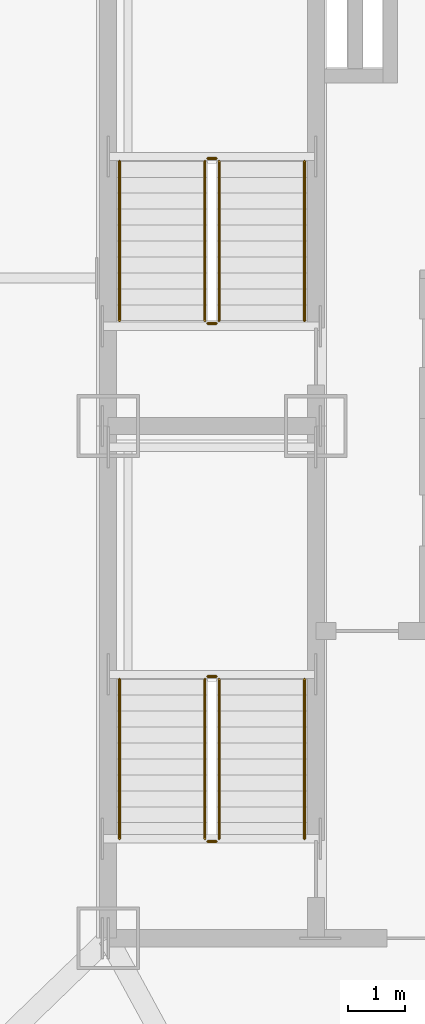
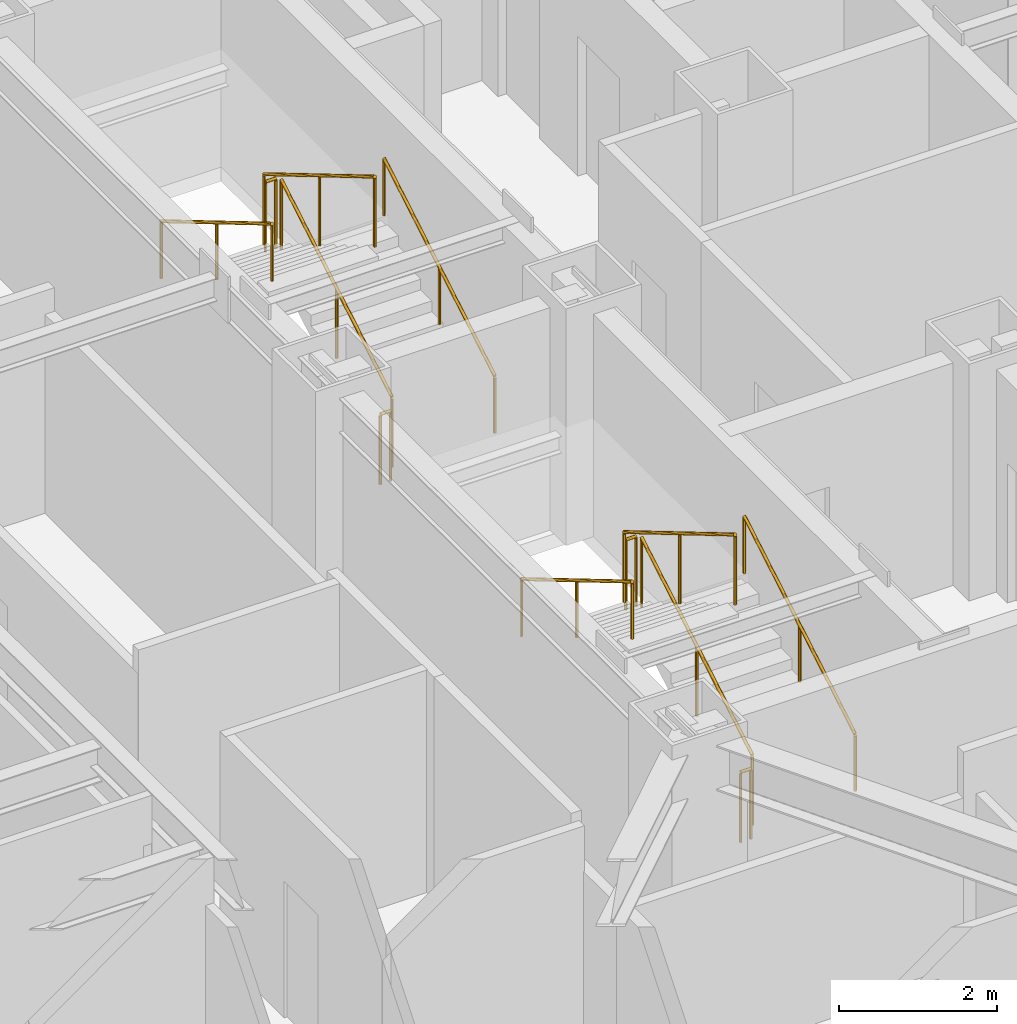
# One storey, part 12 of 12: 12 railings.
"""IFC4 building model written with IfcOpenShell, lengths in metres."""

from ifc_helpers import new_model, si_unit, direction, frame, origin, origin_2d, place, context, subcontext, project, spatial, circle, extrude, material, type_object, element, save


model = new_model("IFC4")

# Units and contexts
model_context = context("Model", 3, precision=1e-05, world=origin(), true_north=direction((0.0, 1.0)))
body_context = subcontext(model_context, "Body", "Model", "MODEL_VIEW")
ifc_project = project(units=[si_unit("LENGTHUNIT", "METRE"), si_unit("AREAUNIT", "SQUARE_METRE"), si_unit("VOLUMEUNIT", "CUBIC_METRE"), si_unit("PLANEANGLEUNIT", "RADIAN"), si_unit("MASSUNIT", "GRAM", prefix="KILO")], contexts=[model_context])

# Site, building, storey
site_placement = place(None, origin())
site = spatial("IfcSite", under=ifc_project, at=site_placement, CompositionType="ELEMENT")
building_placement = place(site_placement, origin())
building = spatial("IfcBuilding", under=site, at=building_placement, Name="Khamvora Tower", CompositionType="ELEMENT")
storey_placement = place(building_placement, frame((0.0, 0.0, 199.699951171875)))
storey = spatial("IfcBuildingStorey", under=building, at=storey_placement, Name="L51", CompositionType="ELEMENT", Elevation=199.699951171875)

# Railings
ifc_material_1 = material(Name="Brushed Stainless Steel 316", Category="steel")
railing_type_1 = type_object("IfcRailingType", Name="RAL-HDR-920", PredefinedType="HANDRAIL", material=ifc_material_1)
railing_1_placement = place(storey_placement, frame((32.449951171875, 20.75, 0.166015625)))
element("IfcRailing", 1, at=railing_1_placement, inside=storey, type_object=railing_type_1, Name="L51 ST-01 stair handrail 1", PredefinedType="HANDRAIL", context=body_context, shape_type="SweptSolid", body=[
    extrude(circle(Radius=0.02392578125, at=origin_2d()), frame((0.0, 0.0, 0.8759765625), z_axis=(0.0, 0.860339051648, 0.50972219513), x_axis=(-1.0, 0.0, 0.0)), (0.0, 0.0, 1.0), 3.254638671875),
    extrude(circle(Radius=0.02099609375, at=origin_2d()), origin(), (0.0, 0.0, 1.0), 0.851806640625),
    extrude(circle(Radius=0.02099609375, at=origin_2d()), frame((0.0, 1.39990234375, 0.82958984375)), (0.0, 0.0, 1.0), 0.851806640625),
    extrude(circle(Radius=0.02099609375, at=origin_2d()), frame((0.0, 2.800048828125, 1.658935546875)), (0.0, 0.0, 1.0), 0.851806640625),
])
railing_2_placement = place(storey_placement, frame((29.199951171875, 23.550048828125, 1.990966796875)))
element("IfcRailing", 2, at=railing_2_placement, inside=storey, type_object=railing_type_1, Name="L51 ST-01 stair handrail 2", PredefinedType="HANDRAIL", context=body_context, shape_type="SweptSolid", body=[
    extrude(circle(Radius=0.02392578125, at=origin_2d()), frame((0.0, 0.0, 0.8759765625), z_axis=(0.0, -0.860306154799, 0.50977771628), x_axis=(1.0, 0.0, 0.0)), (0.0, 0.0, 1.0), 3.254638671875),
    extrude(circle(Radius=0.02099609375, at=origin_2d()), origin(), (0.0, 0.0, 1.0), 0.851806640625),
    extrude(circle(Radius=0.02099609375, at=origin_2d()), frame((0.0, -1.39990234375, 0.82958984375)), (0.0, 0.0, 1.0), 0.851806640625),
    extrude(circle(Radius=0.02099609375, at=origin_2d()), frame((0.0, -2.800048828125, 1.6591796875)), (0.0, 0.0, 1.0), 0.851806640625),
])
railing_3_placement = place(storey_placement, frame((32.449951171875, 29.85009765625, 0.166015625)))
element("IfcRailing", 3, at=railing_3_placement, inside=storey, type_object=railing_type_1, Name="L51 ST-02 stair handrail 1", PredefinedType="HANDRAIL", context=body_context, shape_type="SweptSolid", body=[
    extrude(circle(Radius=0.02392578125, at=origin_2d()), frame((0.0, 0.0, 0.8759765625), z_axis=(0.0, 0.860319559791, 0.509755093197), x_axis=(-1.0, 0.0, 0.0)), (0.0, 0.0, 1.0), 3.25439453125),
    extrude(circle(Radius=0.02099609375, at=origin_2d()), origin(), (0.0, 0.0, 1.0), 0.851806640625),
    extrude(circle(Radius=0.02099609375, at=origin_2d()), frame((0.0, 1.39990234375, 0.82958984375)), (0.0, 0.0, 1.0), 0.851806640625),
    extrude(circle(Radius=0.02099609375, at=origin_2d()), frame((0.0, 2.7998046875, 1.658935546875)), (0.0, 0.0, 1.0), 0.851806640625),
])
railing_4_placement = place(storey_placement, frame((29.199951171875, 32.64990234375, 1.990966796875)))
element("IfcRailing", 4, at=railing_4_placement, inside=storey, type_object=railing_type_1, Name="L51 ST-02 stair handrail 2", PredefinedType="HANDRAIL", context=body_context, shape_type="SweptSolid", body=[
    extrude(circle(Radius=0.02392578125, at=origin_2d()), frame((0.0, 0.0, 0.8759765625), z_axis=(0.0, -0.860286659441, 0.509810615413), x_axis=(1.0, 0.0, 0.0)), (0.0, 0.0, 1.0), 3.25439453125),
    extrude(circle(Radius=0.02099609375, at=origin_2d()), origin(), (0.0, 0.0, 1.0), 0.851806640625),
    extrude(circle(Radius=0.02099609375, at=origin_2d()), frame((0.0, -1.39990234375, 0.82958984375)), (0.0, 0.0, 1.0), 0.851806640625),
    extrude(circle(Radius=0.02099609375, at=origin_2d()), frame((0.0, -2.7998046875, 1.6591796875)), (0.0, 0.0, 1.0), 0.851806640625),
])
ifc_material_2 = material(Name="Stainless Steel 316", Category="steel")
railing_type_2 = type_object("IfcRailingType", Name="RAL-STG-1100", PredefinedType="GUARDRAIL", material=ifc_material_2)
railing_5_placement = place(storey_placement, frame((30.949951171875, 20.75, 0.166015625)))
element("IfcRailing", 5, at=railing_5_placement, inside=storey, type_object=railing_type_2, Name="L51 ST-01 stair guard 1", PredefinedType="GUARDRAIL", context=body_context, shape_type="SweptSolid", body=[
    extrude(circle(Radius=0.02392578125, at=origin_2d()), frame((0.0, 0.0, 1.076171875), z_axis=(0.0, 0.860339051648, 0.50972219513), x_axis=(-1.0, 0.0, 0.0)), (0.0, 0.0, 1.0), 3.254638671875),
    extrude(circle(Radius=0.02099609375, at=origin_2d()), origin(), (0.0, 0.0, 1.0), 1.052001953125),
    extrude(circle(Radius=0.02099609375, at=origin_2d()), frame((0.0, 1.39990234375, 0.82958984375)), (0.0, 0.0, 1.0), 1.052001953125),
    extrude(circle(Radius=0.02099609375, at=origin_2d()), frame((0.0, 2.800048828125, 1.658935546875)), (0.0, 0.0, 1.0), 1.052001953125),
])
railing_6_placement = place(storey_placement, frame((30.89990234375, 23.60009765625, 1.824951171875)))
element("IfcRailing", 6, at=railing_6_placement, inside=storey, type_object=railing_type_2, Name="L51 ST-01 stair guard 2", PredefinedType="GUARDRAIL", context=body_context, shape_type="SweptSolid", body=[
    extrude(circle(Radius=0.02392578125, at=origin_2d()), frame((0.0, 0.0, 1.076171875), z_axis=(-1.0, 0.0, 0.0), x_axis=(0.0, -1.0, 0.0)), (0.0, 0.0, 1.0), 0.14990234375),
    extrude(circle(Radius=0.02099609375, at=origin_2d()), origin(), (0.0, 0.0, 1.0), 1.052001953125),
    extrude(circle(Radius=0.02099609375, at=origin_2d()), frame((-0.14990234375, 0.0, 0.0)), (0.0, 0.0, 1.0), 1.052001953125),
])
railing_7_placement = place(storey_placement, frame((30.699951171875, 23.550048828125, 1.990966796875)))
element("IfcRailing", 7, at=railing_7_placement, inside=storey, type_object=railing_type_2, Name="L51 ST-01 stair guard 3", PredefinedType="GUARDRAIL", context=body_context, shape_type="SweptSolid", body=[
    extrude(circle(Radius=0.02392578125, at=origin_2d()), frame((0.0, 0.0, 1.076171875), z_axis=(0.0, -0.860306154799, 0.50977771628), x_axis=(1.0, 0.0, 0.0)), (0.0, 0.0, 1.0), 3.254638671875),
    extrude(circle(Radius=0.02099609375, at=origin_2d()), origin(), (0.0, 0.0, 1.0), 1.052001953125),
    extrude(circle(Radius=0.02099609375, at=origin_2d()), frame((0.0, -1.39990234375, 0.82958984375)), (0.0, 0.0, 1.0), 1.052001953125),
    extrude(circle(Radius=0.02099609375, at=origin_2d()), frame((0.0, -2.800048828125, 1.6591796875)), (0.0, 0.0, 1.0), 1.052001953125),
])
railing_8_placement = place(storey_placement, frame((30.89990234375, 20.699951171875, 0.0)))
element("IfcRailing", 8, at=railing_8_placement, inside=storey, type_object=railing_type_2, Name="L51 ST-01 stair guard 4", PredefinedType="GUARDRAIL", context=body_context, shape_type="SweptSolid", body=[
    extrude(circle(Radius=0.02392578125, at=origin_2d()), frame((0.0, 0.0, 1.076171875), z_axis=(-1.0, 0.0, 0.0), x_axis=(0.0, -1.0, 0.0)), (0.0, 0.0, 1.0), 0.14990234375),
    extrude(circle(Radius=0.02099609375, at=origin_2d()), origin(), (0.0, 0.0, 1.0), 1.052001953125),
    extrude(circle(Radius=0.02099609375, at=origin_2d()), frame((-0.14990234375, 0.0, 0.0)), (0.0, 0.0, 1.0), 1.052001953125),
])
railing_9_placement = place(storey_placement, frame((30.949951171875, 29.85009765625, 0.166015625)))
element("IfcRailing", 9, at=railing_9_placement, inside=storey, type_object=railing_type_2, Name="L51 ST-02 stair guard 1", PredefinedType="GUARDRAIL", context=body_context, shape_type="SweptSolid", body=[
    extrude(circle(Radius=0.02392578125, at=origin_2d()), frame((0.0, 0.0, 1.076171875), z_axis=(0.0, 0.860319559791, 0.509755093197), x_axis=(-1.0, 0.0, 0.0)), (0.0, 0.0, 1.0), 3.25439453125),
    extrude(circle(Radius=0.02099609375, at=origin_2d()), origin(), (0.0, 0.0, 1.0), 1.052001953125),
    extrude(circle(Radius=0.02099609375, at=origin_2d()), frame((0.0, 1.39990234375, 0.82958984375)), (0.0, 0.0, 1.0), 1.052001953125),
    extrude(circle(Radius=0.02099609375, at=origin_2d()), frame((0.0, 2.7998046875, 1.658935546875)), (0.0, 0.0, 1.0), 1.052001953125),
])
railing_10_placement = place(storey_placement, frame((30.89990234375, 32.699951171875, 1.824951171875)))
element("IfcRailing", 10, at=railing_10_placement, inside=storey, type_object=railing_type_2, Name="L51 ST-02 stair guard 2", PredefinedType="GUARDRAIL", context=body_context, shape_type="SweptSolid", body=[
    extrude(circle(Radius=0.02392578125, at=origin_2d()), frame((0.0, 0.0, 1.076171875), z_axis=(-1.0, 0.0, 0.0), x_axis=(0.0, -1.0, 0.0)), (0.0, 0.0, 1.0), 0.14990234375),
    extrude(circle(Radius=0.02099609375, at=origin_2d()), origin(), (0.0, 0.0, 1.0), 1.052001953125),
    extrude(circle(Radius=0.02099609375, at=origin_2d()), frame((-0.14990234375, 0.0, 0.0)), (0.0, 0.0, 1.0), 1.052001953125),
])
railing_11_placement = place(storey_placement, frame((30.699951171875, 32.64990234375, 1.990966796875)))
element("IfcRailing", 11, at=railing_11_placement, inside=storey, type_object=railing_type_2, Name="L51 ST-02 stair guard 3", PredefinedType="GUARDRAIL", context=body_context, shape_type="SweptSolid", body=[
    extrude(circle(Radius=0.02392578125, at=origin_2d()), frame((0.0, 0.0, 1.076171875), z_axis=(0.0, -0.860286659441, 0.509810615413), x_axis=(1.0, 0.0, 0.0)), (0.0, 0.0, 1.0), 3.25439453125),
    extrude(circle(Radius=0.02099609375, at=origin_2d()), origin(), (0.0, 0.0, 1.0), 1.052001953125),
    extrude(circle(Radius=0.02099609375, at=origin_2d()), frame((0.0, -1.39990234375, 0.82958984375)), (0.0, 0.0, 1.0), 1.052001953125),
    extrude(circle(Radius=0.02099609375, at=origin_2d()), frame((0.0, -2.7998046875, 1.6591796875)), (0.0, 0.0, 1.0), 1.052001953125),
])
railing_12_placement = place(storey_placement, frame((30.89990234375, 29.800048828125, 0.0)))
element("IfcRailing", 12, at=railing_12_placement, inside=storey, type_object=railing_type_2, Name="L51 ST-02 stair guard 4", PredefinedType="GUARDRAIL", context=body_context, shape_type="SweptSolid", body=[
    extrude(circle(Radius=0.02392578125, at=origin_2d()), frame((0.0, 0.0, 1.076171875), z_axis=(-1.0, 0.0, 0.0), x_axis=(0.0, -1.0, 0.0)), (0.0, 0.0, 1.0), 0.14990234375),
    extrude(circle(Radius=0.02099609375, at=origin_2d()), origin(), (0.0, 0.0, 1.0), 1.052001953125),
    extrude(circle(Radius=0.02099609375, at=origin_2d()), frame((-0.14990234375, 0.0, 0.0)), (0.0, 0.0, 1.0), 1.052001953125),
])

save(model, "model.ifc")
